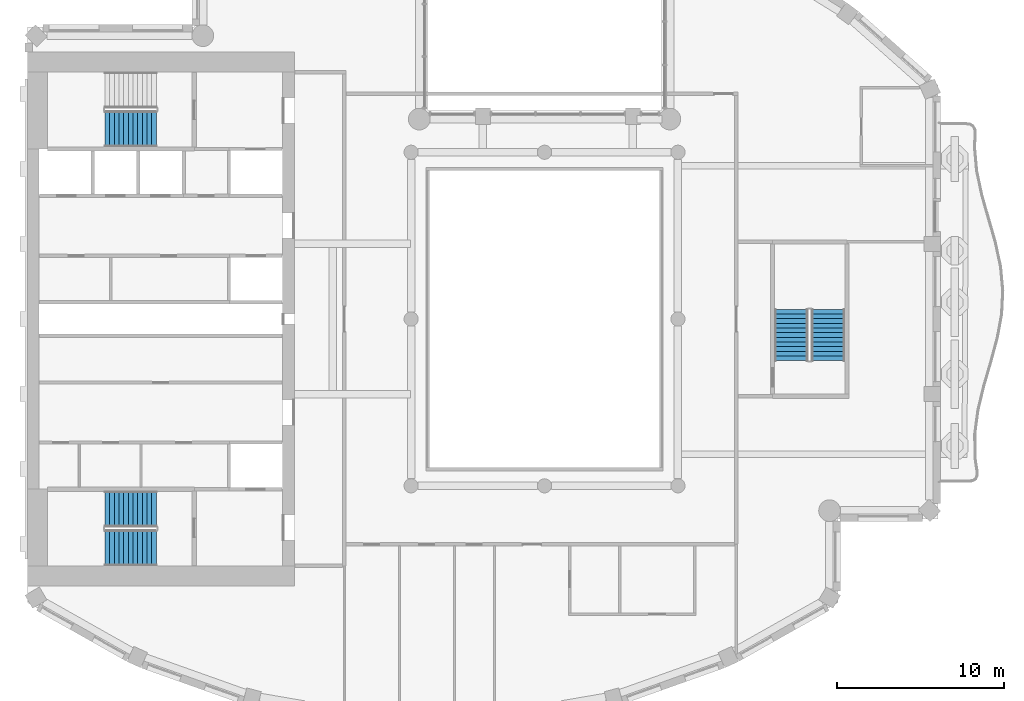
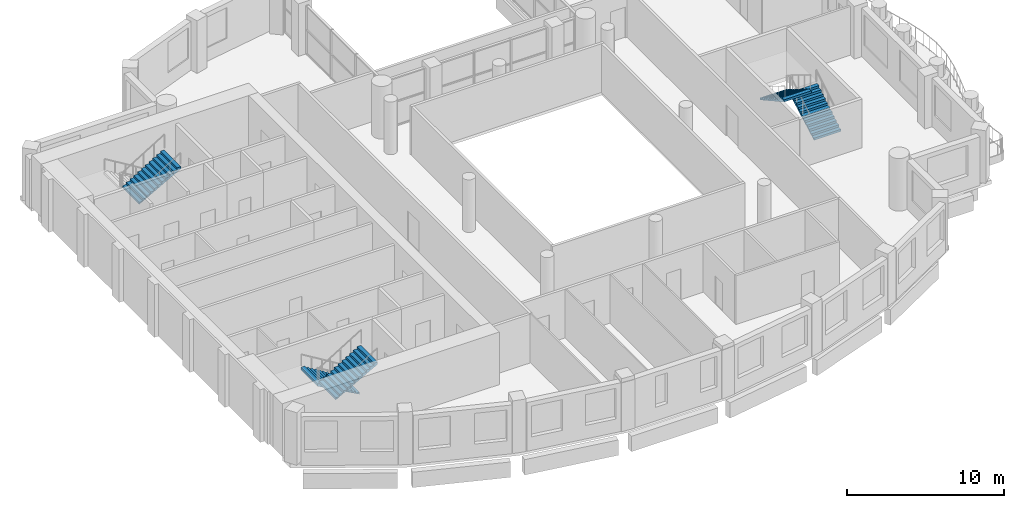
# One storey, part 8 of 14: 5 stair flights, 3 elements without a shape of their own.
"""IFC4 building model written with IfcOpenShell, lengths in metres."""

from ifc_helpers import new_model, si_unit, direction, frame, origin, place, context, subcontext, project, spatial, triangles, material, type_object, element, aggregate, save


model = new_model("IFC4")

# Units and contexts
model_context = context("Model", 3, precision=1e-05, world=origin(), true_north=direction((0.0, 1.0)))
body_context = subcontext(model_context, "Body", "Model", "MODEL_VIEW")
ifc_project = project(units=[si_unit("LENGTHUNIT", "METRE"), si_unit("AREAUNIT", "SQUARE_METRE"), si_unit("VOLUMEUNIT", "CUBIC_METRE"), si_unit("PLANEANGLEUNIT", "RADIAN"), si_unit("MASSUNIT", "GRAM", prefix="KILO")], contexts=[model_context])

# Site, building, storey
site_placement = place(None, origin())
site = spatial("IfcSite", under=ifc_project, at=site_placement, CompositionType="ELEMENT")
building_placement = place(site_placement, origin())
building = spatial("IfcBuilding", under=site, at=building_placement, Name="Cypress Arch Tower", CompositionType="ELEMENT")
storey_placement = place(building_placement, frame((0.0, 0.0, 255.699951171875)))
storey = spatial("IfcBuildingStorey", under=building, at=storey_placement, Name="L57", CompositionType="ELEMENT", Elevation=255.699951171875)

# Stair, stair flights
ifc_material_1 = material(Name="Concrete C40/50", Category="concrete")
stair_type_1 = type_object("IfcStairType", Name="Exit stair ES1708-200", PredefinedType="HALF_TURN_STAIR", material=ifc_material_1)
stair_1_placement = place(storey_placement, origin())
stair_1 = element("IfcStair", 1, at=stair_1_placement, inside=storey, type_object=stair_type_1, Name="L57 Exit stair C", PredefinedType="HALF_TURN_STAIR")
ifc_material_2 = material(Name="Concrete C40/50", Category="concrete")
stair_flight_type_1 = type_object("IfcStairFlightType", Name="Exit stair flight ES1708-200", PredefinedType="STRAIGHT", material=ifc_material_2)
stair_flight_1_placement = place(storey_placement, frame((18.0, -2.5, 0.0), z_axis=(0.0, 0.0, 1.0), x_axis=(0.0, 1.0, 0.0)))
stair_flight_1 = element("IfcStairFlight", 2, at=stair_flight_1_placement, type_object=stair_flight_type_1, Name="C flight 1", NumberOfRisers=12, NumberOfTreads=11, PredefinedType="STRAIGHT", RiserHeight=0.170833333, TreadLength=0.28, context=body_context, shape_type="Tessellation", body=[
    triangles([(0.0, -1.0, 0.0), (0.0, -1.0, 0.1708984375), (0.280029296875, -1.0, 0.1708984375), (0.280029296875, -1.0, 0.341552734375), (0.56005859375, -1.0, 0.341552734375), (0.56005859375, -1.0, 0.512451171875), (0.840087890625, -1.0, 0.512451171875), (0.840087890625, -1.0, 0.683349609375), (1.1201171875, -1.0, 0.683349609375), (1.1201171875, -1.0, 0.854248046875), (1.39990234375, -1.0, 0.854248046875), (1.39990234375, -1.0, 1.02490234375), (1.679931640625, -1.0, 1.02490234375), (1.679931640625, -1.0, 1.19580078125), (1.9599609375, -1.0, 1.19580078125), (1.9599609375, -1.0, 1.36669921875), (2.239990234375, -1.0, 1.36669921875), (2.239990234375, -1.0, 1.53759765625), (2.52001953125, -1.0, 1.53759765625), (2.52001953125, -1.0, 1.708251953125), (2.800048828125, -1.0, 1.708251953125), (2.800048828125, -1.0, 1.879150390625), (3.080078125, -1.0, 1.879150390625), (3.080078125, -1.0, 1.70361328125), (3.080078125, 1.0, 1.70361328125), (3.080078125, 1.0, 1.879150390625), (2.800048828125, 1.0, 1.879150390625), (2.800048828125, 1.0, 1.708251953125), (2.52001953125, 1.0, 1.708251953125), (2.52001953125, 1.0, 1.53759765625), (2.239990234375, 1.0, 1.53759765625), (2.239990234375, 1.0, 1.36669921875), (1.9599609375, 1.0, 1.36669921875), (1.9599609375, 1.0, 1.19580078125), (1.679931640625, 1.0, 1.19580078125), (1.679931640625, 1.0, 1.02490234375), (1.39990234375, 1.0, 1.02490234375), (1.39990234375, 1.0, 0.854248046875), (1.1201171875, 1.0, 0.854248046875), (1.1201171875, 1.0, 0.683349609375), (0.840087890625, 1.0, 0.683349609375), (0.840087890625, 1.0, 0.512451171875), (0.56005859375, 1.0, 0.512451171875), (0.56005859375, 1.0, 0.341552734375), (0.280029296875, 1.0, 0.341552734375), (0.280029296875, 1.0, 0.1708984375), (0.0, 1.0, 0.1708984375), (0.0, 1.0, 0.0), (3.080078125, 0.0, 1.879150390625), (3.080078125, 0.0, 1.70361328125), (2.800048828125, 0.0, 1.879150390625), (2.800048828125, 0.0, 1.708251953125), (2.52001953125, 0.0, 1.708251953125), (2.52001953125, 0.0, 1.53759765625), (2.239990234375, 0.0, 1.53759765625), (2.239990234375, 0.0, 1.36669921875), (1.9599609375, 0.0, 1.36669921875), (1.9599609375, 0.0, 1.19580078125), (1.679931640625, 0.0, 1.19580078125), (1.679931640625, 0.0, 1.02490234375), (1.39990234375, 0.0, 1.02490234375), (1.39990234375, 0.0, 0.854248046875), (1.1201171875, 0.0, 0.854248046875), (1.1201171875, 0.0, 0.683349609375), (0.840087890625, 0.0, 0.683349609375), (0.840087890625, 0.0, 0.512451171875), (0.56005859375, 0.0, 0.512451171875), (0.56005859375, 0.0, 0.341552734375), (0.280029296875, 0.0, 0.341552734375), (0.280029296875, 0.0, 0.1708984375), (0.0, 0.0, 0.1708984375), (0.0, 0.0, 0.0)], [[24, 23, 22], [11, 10, 9], [19, 18, 17], [17, 16, 15], [15, 14, 13], [9, 8, 7], [7, 6, 5], [3, 2, 1], [21, 20, 19], [13, 12, 11], [5, 4, 3], [24, 22, 21], [24, 21, 19], [24, 19, 17], [24, 17, 15], [24, 15, 13], [24, 13, 11], [24, 11, 9], [24, 9, 7], [24, 7, 5], [1, 24, 5], [5, 3, 1], [25, 27, 26], [38, 40, 39], [30, 32, 31], [32, 34, 33], [34, 36, 35], [40, 42, 41], [42, 44, 43], [46, 48, 47], [28, 30, 29], [36, 38, 37], [44, 46, 45], [25, 28, 27], [25, 30, 28], [25, 32, 30], [25, 34, 32], [25, 36, 34], [25, 38, 36], [25, 40, 38], [25, 42, 40], [25, 44, 42], [48, 44, 25], [44, 48, 46], [50, 49, 23], [50, 23, 24], [25, 26, 49], [25, 49, 50], [49, 51, 22], [49, 22, 23], [26, 27, 51], [26, 51, 49], [51, 52, 21], [51, 21, 22], [27, 28, 52], [27, 52, 51], [52, 53, 20], [52, 20, 21], [28, 29, 53], [28, 53, 52], [53, 54, 19], [53, 19, 20], [29, 30, 54], [29, 54, 53], [54, 55, 18], [54, 18, 19], [30, 31, 55], [30, 55, 54], [55, 56, 17], [55, 17, 18], [31, 32, 56], [31, 56, 55], [56, 57, 16], [56, 16, 17], [32, 33, 57], [32, 57, 56], [57, 58, 15], [57, 15, 16], [33, 34, 58], [33, 58, 57], [58, 59, 14], [58, 14, 15], [34, 35, 59], [34, 59, 58], [59, 60, 13], [59, 13, 14], [35, 36, 60], [35, 60, 59], [60, 61, 12], [60, 12, 13], [36, 37, 61], [36, 61, 60], [61, 62, 11], [61, 11, 12], [37, 38, 62], [37, 62, 61], [62, 63, 10], [62, 10, 11], [38, 39, 63], [38, 63, 62], [63, 64, 9], [63, 9, 10], [39, 40, 64], [39, 64, 63], [64, 65, 8], [64, 8, 9], [40, 41, 65], [40, 65, 64], [65, 66, 7], [65, 7, 8], [41, 42, 66], [41, 66, 65], [66, 67, 6], [66, 6, 7], [42, 43, 67], [42, 67, 66], [67, 68, 5], [67, 5, 6], [43, 44, 68], [43, 68, 67], [68, 69, 4], [68, 4, 5], [44, 45, 69], [44, 69, 68], [69, 70, 3], [69, 3, 4], [45, 46, 70], [45, 70, 69], [70, 71, 2], [70, 2, 3], [46, 47, 71], [46, 71, 70], [71, 72, 1], [71, 1, 2], [47, 48, 72], [47, 72, 71], [72, 50, 24], [72, 24, 1], [48, 25, 50], [48, 50, 72]], closed=True),
])
stair_flight_2_placement = place(storey_placement, frame((15.800048828125, 0.580078125, 2.050048828125), z_axis=(0.0, 0.0, 1.0), x_axis=(0.0, -1.0, 0.0)))
stair_flight_2 = element("IfcStairFlight", 3, at=stair_flight_2_placement, type_object=stair_flight_type_1, Name="C flight 2", NumberOfRisers=12, NumberOfTreads=11, PredefinedType="STRAIGHT", RiserHeight=0.170833333, TreadLength=0.28, context=body_context, shape_type="Tessellation", body=[
    triangles([(0.0, -1.0, 0.0), (0.0, -1.0, 0.1708984375), (0.280029296875, -1.0, 0.1708984375), (0.280029296875, -1.0, 0.341552734375), (0.56005859375, -1.0, 0.341552734375), (0.56005859375, -1.0, 0.512451171875), (0.840087890625, -1.0, 0.512451171875), (0.840087890625, -1.0, 0.683349609375), (1.1201171875, -1.0, 0.683349609375), (1.1201171875, -1.0, 0.854248046875), (1.39990234375, -1.0, 0.854248046875), (1.39990234375, -1.0, 1.02490234375), (1.679931640625, -1.0, 1.02490234375), (1.679931640625, -1.0, 1.19580078125), (1.9599609375, -1.0, 1.19580078125), (1.9599609375, -1.0, 1.36669921875), (2.239990234375, -1.0, 1.36669921875), (2.239990234375, -1.0, 1.53759765625), (2.52001953125, -1.0, 1.53759765625), (2.52001953125, -1.0, 1.708251953125), (2.800048828125, -1.0, 1.708251953125), (2.800048828125, -1.0, 1.879150390625), (3.080078125, -1.0, 1.879150390625), (3.080078125, -1.0, 1.70361328125), (3.080078125, 1.0, 1.70361328125), (3.080078125, 1.0, 1.879150390625), (2.800048828125, 1.0, 1.879150390625), (2.800048828125, 1.0, 1.708251953125), (2.52001953125, 1.0, 1.708251953125), (2.52001953125, 1.0, 1.53759765625), (2.239990234375, 1.0, 1.53759765625), (2.239990234375, 1.0, 1.36669921875), (1.9599609375, 1.0, 1.36669921875), (1.9599609375, 1.0, 1.19580078125), (1.679931640625, 1.0, 1.19580078125), (1.679931640625, 1.0, 1.02490234375), (1.39990234375, 1.0, 1.02490234375), (1.39990234375, 1.0, 0.854248046875), (1.1201171875, 1.0, 0.854248046875), (1.1201171875, 1.0, 0.683349609375), (0.840087890625, 1.0, 0.683349609375), (0.840087890625, 1.0, 0.512451171875), (0.56005859375, 1.0, 0.512451171875), (0.56005859375, 1.0, 0.341552734375), (0.280029296875, 1.0, 0.341552734375), (0.280029296875, 1.0, 0.1708984375), (0.0, 1.0, 0.1708984375), (0.0, 1.0, 0.0), (3.080078125, 0.0, 1.879150390625), (3.080078125, 0.0, 1.70361328125), (2.800048828125, 0.0, 1.879150390625), (2.800048828125, 0.0, 1.708251953125), (2.52001953125, 0.0, 1.708251953125), (2.52001953125, 0.0, 1.53759765625), (2.239990234375, 0.0, 1.53759765625), (2.239990234375, 0.0, 1.36669921875), (1.9599609375, 0.0, 1.36669921875), (1.9599609375, 0.0, 1.19580078125), (1.679931640625, 0.0, 1.19580078125), (1.679931640625, 0.0, 1.02490234375), (1.39990234375, 0.0, 1.02490234375), (1.39990234375, 0.0, 0.854248046875), (1.1201171875, 0.0, 0.854248046875), (1.1201171875, 0.0, 0.683349609375), (0.840087890625, 0.0, 0.683349609375), (0.840087890625, 0.0, 0.512451171875), (0.56005859375, 0.0, 0.512451171875), (0.56005859375, 0.0, 0.341552734375), (0.280029296875, 0.0, 0.341552734375), (0.280029296875, 0.0, 0.1708984375), (0.0, 0.0, 0.1708984375), (0.0, 0.0, 0.0)], [[24, 23, 22], [11, 10, 9], [19, 18, 17], [17, 16, 15], [15, 14, 13], [9, 8, 7], [7, 6, 5], [3, 2, 1], [21, 20, 19], [13, 12, 11], [5, 4, 3], [24, 22, 21], [24, 21, 19], [24, 19, 17], [24, 17, 15], [24, 15, 13], [24, 13, 11], [24, 11, 9], [24, 9, 7], [24, 7, 5], [1, 24, 5], [5, 3, 1], [25, 27, 26], [38, 40, 39], [30, 32, 31], [32, 34, 33], [34, 36, 35], [40, 42, 41], [42, 44, 43], [46, 48, 47], [28, 30, 29], [36, 38, 37], [44, 46, 45], [25, 28, 27], [25, 30, 28], [25, 32, 30], [25, 34, 32], [25, 36, 34], [25, 38, 36], [25, 40, 38], [25, 42, 40], [25, 44, 42], [48, 44, 25], [44, 48, 46], [50, 49, 23], [50, 23, 24], [25, 26, 49], [25, 49, 50], [49, 51, 22], [49, 22, 23], [26, 27, 51], [26, 51, 49], [51, 52, 21], [51, 21, 22], [27, 28, 52], [27, 52, 51], [52, 53, 20], [52, 20, 21], [28, 29, 53], [28, 53, 52], [53, 54, 19], [53, 19, 20], [29, 30, 54], [29, 54, 53], [54, 55, 18], [54, 18, 19], [30, 31, 55], [30, 55, 54], [55, 56, 17], [55, 17, 18], [31, 32, 56], [31, 56, 55], [56, 57, 16], [56, 16, 17], [32, 33, 57], [32, 57, 56], [57, 58, 15], [57, 15, 16], [33, 34, 58], [33, 58, 57], [58, 59, 14], [58, 14, 15], [34, 35, 59], [34, 59, 58], [59, 60, 13], [59, 13, 14], [35, 36, 60], [35, 60, 59], [60, 61, 12], [60, 12, 13], [36, 37, 61], [36, 61, 60], [61, 62, 11], [61, 11, 12], [37, 38, 62], [37, 62, 61], [62, 63, 10], [62, 10, 11], [38, 39, 63], [38, 63, 62], [63, 64, 9], [63, 9, 10], [39, 40, 64], [39, 64, 63], [64, 65, 8], [64, 8, 9], [40, 41, 65], [40, 65, 64], [65, 66, 7], [65, 7, 8], [41, 42, 66], [41, 66, 65], [66, 67, 6], [66, 6, 7], [42, 43, 67], [42, 67, 66], [67, 68, 5], [67, 5, 6], [43, 44, 68], [43, 68, 67], [68, 69, 4], [68, 4, 5], [44, 45, 69], [44, 69, 68], [69, 70, 3], [69, 3, 4], [45, 46, 70], [45, 70, 69], [70, 71, 2], [70, 2, 3], [46, 47, 71], [46, 71, 70], [71, 72, 1], [71, 1, 2], [47, 48, 72], [47, 72, 71], [72, 50, 24], [72, 24, 1], [48, 25, 50], [48, 50, 72]], closed=True),
])
aggregate(stair_1, [stair_flight_1, stair_flight_2])

ifc_material_3 = material(Name="Concrete C40/50", Category="concrete")
stair_type_2 = type_object("IfcStairType", Name="Exit stair ES1708-215", PredefinedType="HALF_TURN_STAIR", material=ifc_material_3)
stair_2_placement = place(storey_placement, origin())
stair_2 = element("IfcStair", 4, at=stair_2_placement, inside=storey, type_object=stair_type_2, Name="L57 Exit stair A", PredefinedType="HALF_TURN_STAIR")
ifc_material_4 = material(Name="Concrete C40/50", Category="concrete")
stair_flight_type_2 = type_object("IfcStairFlightType", Name="Exit stair flight ES1708-215", PredefinedType="STRAIGHT", material=ifc_material_4)
stair_flight_3_placement = place(storey_placement, frame((-22.27490234375, -11.39990234375, 0.0), z_axis=(0.0, 0.0, 1.0), x_axis=(-1.0, 0.0, 0.0)))
stair_flight_3 = element("IfcStairFlight", 5, at=stair_flight_3_placement, type_object=stair_flight_type_2, Name="A flight 1", NumberOfRisers=12, NumberOfTreads=11, PredefinedType="STRAIGHT", RiserHeight=0.170833333, TreadLength=0.28, context=body_context, shape_type="Tessellation", body=[
    triangles([(0.0, -1.074951171875, 0.0), (0.000244140625, -1.074951171875, 0.01904296875), (0.000244140625, -1.074951171875, 0.0380859375), (0.00048828125, -1.074951171875, 0.056884765625), (0.00048828125, -1.074951171875, 0.075927734375), (0.00048828125, -1.074951171875, 0.094970703125), (0.00048828125, -1.074951171875, 0.114013671875), (0.000244140625, -1.074951171875, 0.1328125), (0.000244140625, -1.074951171875, 0.15185546875), (0.0, -1.074951171875, 0.1708984375), (0.280029296875, -1.074951171875, 0.1708984375), (0.280029296875, -1.074951171875, 0.341552734375), (0.56005859375, -1.074951171875, 0.341552734375), (0.56005859375, -1.074951171875, 0.512451171875), (0.840087890625, -1.074951171875, 0.512451171875), (0.840087890625, -1.074951171875, 0.683349609375), (1.1201171875, -1.074951171875, 0.683349609375), (1.1201171875, -1.074951171875, 0.854248046875), (1.39990234375, -1.074951171875, 0.854248046875), (1.39990234375, -1.074951171875, 1.02490234375), (1.679931640625, -1.074951171875, 1.02490234375), (1.679931640625, -1.074951171875, 1.19580078125), (1.9599609375, -1.074951171875, 1.19580078125), (1.9599609375, -1.074951171875, 1.36669921875), (2.239990234375, -1.074951171875, 1.36669921875), (2.239990234375, -1.074951171875, 1.53759765625), (2.52001953125, -1.074951171875, 1.53759765625), (2.52001953125, -1.074951171875, 1.708251953125), (2.800048828125, -1.074951171875, 1.708251953125), (2.800048828125, -1.074951171875, 1.879150390625), (3.080078125, -1.074951171875, 1.879150390625), (3.079833984375, -1.074951171875, 1.859619140625), (3.079833984375, -1.074951171875, 1.840087890625), (3.07958984375, -1.074951171875, 1.820556640625), (3.07958984375, -1.074951171875, 1.801025390625), (3.07958984375, -1.074951171875, 1.78173828125), (3.07958984375, -1.074951171875, 1.76220703125), (3.079833984375, -1.074951171875, 1.74267578125), (3.079833984375, -1.074951171875, 1.72314453125), (3.080078125, -1.074951171875, 1.70361328125), (3.080078125, 1.074951171875, 1.70361328125), (3.079833984375, 1.074951171875, 1.72314453125), (3.079833984375, 1.074951171875, 1.74267578125), (3.07958984375, 1.074951171875, 1.76220703125), (3.07958984375, 1.074951171875, 1.78173828125), (3.07958984375, 1.074951171875, 1.801025390625), (3.07958984375, 1.074951171875, 1.820556640625), (3.079833984375, 1.074951171875, 1.840087890625), (3.079833984375, 1.074951171875, 1.859619140625), (3.080078125, 1.074951171875, 1.879150390625), (2.800048828125, 1.074951171875, 1.879150390625), (2.800048828125, 1.074951171875, 1.708251953125), (2.52001953125, 1.074951171875, 1.708251953125), (2.52001953125, 1.074951171875, 1.53759765625), (2.239990234375, 1.074951171875, 1.53759765625), (2.239990234375, 1.074951171875, 1.36669921875), (1.9599609375, 1.074951171875, 1.36669921875), (1.9599609375, 1.074951171875, 1.19580078125), (1.679931640625, 1.074951171875, 1.19580078125), (1.679931640625, 1.074951171875, 1.02490234375), (1.39990234375, 1.074951171875, 1.02490234375), (1.39990234375, 1.074951171875, 0.854248046875), (1.1201171875, 1.074951171875, 0.854248046875), (1.1201171875, 1.074951171875, 0.683349609375), (0.840087890625, 1.074951171875, 0.683349609375), (0.840087890625, 1.074951171875, 0.512451171875), (0.56005859375, 1.074951171875, 0.512451171875), (0.56005859375, 1.074951171875, 0.341552734375), (0.280029296875, 1.074951171875, 0.341552734375), (0.280029296875, 1.074951171875, 0.1708984375), (0.0, 1.074951171875, 0.1708984375), (0.000244140625, 1.074951171875, 0.15185546875), (0.000244140625, 1.074951171875, 0.1328125), (0.00048828125, 1.074951171875, 0.114013671875), (0.00048828125, 1.074951171875, 0.094970703125), (0.00048828125, 1.074951171875, 0.075927734375), (0.00048828125, 1.074951171875, 0.056884765625), (0.000244140625, 1.074951171875, 0.0380859375), (0.000244140625, 1.074951171875, 0.01904296875), (0.0, 1.074951171875, 0.0)], [[40, 39, 30], [39, 38, 30], [38, 37, 30], [37, 36, 30], [36, 35, 30], [35, 34, 30], [34, 33, 30], [33, 32, 30], [32, 31, 30], [19, 18, 17], [27, 26, 25], [25, 24, 23], [23, 22, 21], [17, 16, 15], [15, 14, 13], [10, 9, 11], [9, 8, 11], [8, 7, 11], [7, 6, 11], [6, 5, 11], [5, 4, 11], [4, 3, 11], [3, 2, 11], [2, 1, 11], [29, 28, 27], [21, 20, 19], [13, 12, 11], [40, 30, 29], [40, 29, 27], [40, 27, 25], [40, 25, 23], [40, 23, 21], [40, 21, 19], [40, 19, 17], [40, 17, 15], [40, 15, 13], [1, 40, 13], [13, 11, 1], [41, 51, 42], [42, 51, 43], [43, 51, 44], [44, 51, 45], [45, 51, 46], [46, 51, 47], [47, 51, 48], [48, 51, 49], [49, 51, 50], [62, 64, 63], [54, 56, 55], [56, 58, 57], [58, 60, 59], [64, 66, 65], [66, 68, 67], [71, 70, 72], [72, 70, 73], [73, 70, 74], [74, 70, 75], [75, 70, 76], [76, 70, 77], [77, 70, 78], [78, 70, 79], [79, 70, 80], [52, 54, 53], [60, 62, 61], [68, 70, 69], [41, 52, 51], [41, 54, 52], [41, 56, 54], [41, 58, 56], [41, 60, 58], [41, 62, 60], [41, 64, 62], [41, 66, 64], [41, 68, 66], [80, 68, 41], [68, 80, 70], [41, 42, 39], [41, 39, 40], [42, 43, 38], [42, 38, 39], [43, 44, 37], [43, 37, 38], [44, 45, 36], [44, 36, 37], [45, 46, 35], [45, 35, 36], [46, 47, 34], [46, 34, 35], [47, 48, 33], [47, 33, 34], [48, 49, 32], [48, 32, 33], [49, 50, 31], [49, 31, 32], [50, 51, 30], [50, 30, 31], [51, 52, 29], [51, 29, 30], [52, 53, 28], [52, 28, 29], [53, 54, 27], [53, 27, 28], [54, 55, 26], [54, 26, 27], [55, 56, 25], [55, 25, 26], [56, 57, 24], [56, 24, 25], [57, 58, 23], [57, 23, 24], [58, 59, 22], [58, 22, 23], [59, 60, 21], [59, 21, 22], [60, 61, 20], [60, 20, 21], [61, 62, 19], [61, 19, 20], [62, 63, 18], [62, 18, 19], [63, 64, 17], [63, 17, 18], [64, 65, 16], [64, 16, 17], [65, 66, 15], [65, 15, 16], [66, 67, 14], [66, 14, 15], [67, 68, 13], [67, 13, 14], [68, 69, 12], [68, 12, 13], [69, 70, 11], [69, 11, 12], [70, 71, 10], [70, 10, 11], [71, 72, 9], [71, 9, 10], [72, 73, 8], [72, 8, 9], [73, 74, 7], [73, 7, 8], [74, 75, 6], [74, 6, 7], [75, 76, 5], [75, 5, 6], [76, 77, 4], [76, 4, 5], [77, 78, 3], [77, 3, 4], [78, 79, 2], [78, 2, 3], [79, 80, 1], [79, 1, 2], [80, 41, 40], [80, 40, 1]], closed=True),
])
stair_flight_4_placement = place(storey_placement, frame((-25.35498046875, -13.72509765625, 2.050048828125), z_axis=(0.0, 0.0, 1.0), x_axis=(1.0, 0.0, 0.0)))
stair_flight_4 = element("IfcStairFlight", 6, at=stair_flight_4_placement, type_object=stair_flight_type_2, Name="A flight 2", NumberOfRisers=12, NumberOfTreads=11, PredefinedType="STRAIGHT", RiserHeight=0.170833333, TreadLength=0.28, context=body_context, shape_type="Tessellation", body=[
    triangles([(0.0, -1.074951171875, 0.0), (0.000244140625, -1.074951171875, 0.01904296875), (0.000244140625, -1.074951171875, 0.0380859375), (0.00048828125, -1.074951171875, 0.056884765625), (0.00048828125, -1.074951171875, 0.075927734375), (0.00048828125, -1.074951171875, 0.094970703125), (0.00048828125, -1.074951171875, 0.114013671875), (0.000244140625, -1.074951171875, 0.1328125), (0.000244140625, -1.074951171875, 0.15185546875), (0.0, -1.074951171875, 0.1708984375), (0.280029296875, -1.074951171875, 0.1708984375), (0.280029296875, -1.074951171875, 0.341552734375), (0.56005859375, -1.074951171875, 0.341552734375), (0.56005859375, -1.074951171875, 0.512451171875), (0.840087890625, -1.074951171875, 0.512451171875), (0.840087890625, -1.074951171875, 0.683349609375), (1.1201171875, -1.074951171875, 0.683349609375), (1.1201171875, -1.074951171875, 0.854248046875), (1.39990234375, -1.074951171875, 0.854248046875), (1.39990234375, -1.074951171875, 1.02490234375), (1.679931640625, -1.074951171875, 1.02490234375), (1.679931640625, -1.074951171875, 1.19580078125), (1.9599609375, -1.074951171875, 1.19580078125), (1.9599609375, -1.074951171875, 1.36669921875), (2.239990234375, -1.074951171875, 1.36669921875), (2.239990234375, -1.074951171875, 1.53759765625), (2.52001953125, -1.074951171875, 1.53759765625), (2.52001953125, -1.074951171875, 1.708251953125), (2.800048828125, -1.074951171875, 1.708251953125), (2.800048828125, -1.074951171875, 1.879150390625), (3.080078125, -1.074951171875, 1.879150390625), (3.079833984375, -1.074951171875, 1.859619140625), (3.079833984375, -1.074951171875, 1.840087890625), (3.07958984375, -1.074951171875, 1.820556640625), (3.07958984375, -1.074951171875, 1.801025390625), (3.07958984375, -1.074951171875, 1.78173828125), (3.07958984375, -1.074951171875, 1.76220703125), (3.079833984375, -1.074951171875, 1.74267578125), (3.079833984375, -1.074951171875, 1.72314453125), (3.080078125, -1.074951171875, 1.70361328125), (3.080078125, 1.074951171875, 1.70361328125), (3.079833984375, 1.074951171875, 1.72314453125), (3.079833984375, 1.074951171875, 1.74267578125), (3.07958984375, 1.074951171875, 1.76220703125), (3.07958984375, 1.074951171875, 1.78173828125), (3.07958984375, 1.074951171875, 1.801025390625), (3.07958984375, 1.074951171875, 1.820556640625), (3.079833984375, 1.074951171875, 1.840087890625), (3.079833984375, 1.074951171875, 1.859619140625), (3.080078125, 1.074951171875, 1.879150390625), (2.800048828125, 1.074951171875, 1.879150390625), (2.800048828125, 1.074951171875, 1.708251953125), (2.52001953125, 1.074951171875, 1.708251953125), (2.52001953125, 1.074951171875, 1.53759765625), (2.239990234375, 1.074951171875, 1.53759765625), (2.239990234375, 1.074951171875, 1.36669921875), (1.9599609375, 1.074951171875, 1.36669921875), (1.9599609375, 1.074951171875, 1.19580078125), (1.679931640625, 1.074951171875, 1.19580078125), (1.679931640625, 1.074951171875, 1.02490234375), (1.39990234375, 1.074951171875, 1.02490234375), (1.39990234375, 1.074951171875, 0.854248046875), (1.1201171875, 1.074951171875, 0.854248046875), (1.1201171875, 1.074951171875, 0.683349609375), (0.840087890625, 1.074951171875, 0.683349609375), (0.840087890625, 1.074951171875, 0.512451171875), (0.56005859375, 1.074951171875, 0.512451171875), (0.56005859375, 1.074951171875, 0.341552734375), (0.280029296875, 1.074951171875, 0.341552734375), (0.280029296875, 1.074951171875, 0.1708984375), (0.0, 1.074951171875, 0.1708984375), (0.000244140625, 1.074951171875, 0.15185546875), (0.000244140625, 1.074951171875, 0.1328125), (0.00048828125, 1.074951171875, 0.114013671875), (0.00048828125, 1.074951171875, 0.094970703125), (0.00048828125, 1.074951171875, 0.075927734375), (0.00048828125, 1.074951171875, 0.056884765625), (0.000244140625, 1.074951171875, 0.0380859375), (0.000244140625, 1.074951171875, 0.01904296875), (0.0, 1.074951171875, 0.0)], [[40, 39, 30], [39, 38, 30], [38, 37, 30], [37, 36, 30], [36, 35, 30], [35, 34, 30], [34, 33, 30], [33, 32, 30], [32, 31, 30], [19, 18, 17], [27, 26, 25], [25, 24, 23], [23, 22, 21], [17, 16, 15], [15, 14, 13], [10, 9, 11], [9, 8, 11], [8, 7, 11], [7, 6, 11], [6, 5, 11], [5, 4, 11], [4, 3, 11], [3, 2, 11], [2, 1, 11], [29, 28, 27], [21, 20, 19], [13, 12, 11], [40, 30, 29], [40, 29, 27], [40, 27, 25], [40, 25, 23], [40, 23, 21], [40, 21, 19], [40, 19, 17], [40, 17, 15], [40, 15, 13], [1, 40, 13], [13, 11, 1], [41, 51, 42], [42, 51, 43], [43, 51, 44], [44, 51, 45], [45, 51, 46], [46, 51, 47], [47, 51, 48], [48, 51, 49], [49, 51, 50], [62, 64, 63], [54, 56, 55], [56, 58, 57], [58, 60, 59], [64, 66, 65], [66, 68, 67], [71, 70, 72], [72, 70, 73], [73, 70, 74], [74, 70, 75], [75, 70, 76], [76, 70, 77], [77, 70, 78], [78, 70, 79], [79, 70, 80], [52, 54, 53], [60, 62, 61], [68, 70, 69], [41, 52, 51], [41, 54, 52], [41, 56, 54], [41, 58, 56], [41, 60, 58], [41, 62, 60], [41, 64, 62], [41, 66, 64], [41, 68, 66], [80, 68, 41], [68, 80, 70], [41, 42, 39], [41, 39, 40], [42, 43, 38], [42, 38, 39], [43, 44, 37], [43, 37, 38], [44, 45, 36], [44, 36, 37], [45, 46, 35], [45, 35, 36], [46, 47, 34], [46, 34, 35], [47, 48, 33], [47, 33, 34], [48, 49, 32], [48, 32, 33], [49, 50, 31], [49, 31, 32], [50, 51, 30], [50, 30, 31], [51, 52, 29], [51, 29, 30], [52, 53, 28], [52, 28, 29], [53, 54, 27], [53, 27, 28], [54, 55, 26], [54, 26, 27], [55, 56, 25], [55, 25, 26], [56, 57, 24], [56, 24, 25], [57, 58, 23], [57, 23, 24], [58, 59, 22], [58, 22, 23], [59, 60, 21], [59, 21, 22], [60, 61, 20], [60, 20, 21], [61, 62, 19], [61, 19, 20], [62, 63, 18], [62, 18, 19], [63, 64, 17], [63, 17, 18], [64, 65, 16], [64, 16, 17], [65, 66, 15], [65, 15, 16], [66, 67, 14], [66, 14, 15], [67, 68, 13], [67, 13, 14], [68, 69, 12], [68, 12, 13], [69, 70, 11], [69, 11, 12], [70, 71, 10], [70, 10, 11], [71, 72, 9], [71, 9, 10], [72, 73, 8], [72, 8, 9], [73, 74, 7], [73, 7, 8], [74, 75, 6], [74, 6, 7], [75, 76, 5], [75, 5, 6], [76, 77, 4], [76, 4, 5], [77, 78, 3], [77, 3, 4], [78, 79, 2], [78, 2, 3], [79, 80, 1], [79, 1, 2], [80, 41, 40], [80, 40, 1]], closed=True),
])
aggregate(stair_2, [stair_flight_3, stair_flight_4])

# Stair, stair flight
stair_3_placement = place(storey_placement, origin())
stair_3 = element("IfcStair", 7, at=stair_3_placement, inside=storey, type_object=stair_type_2, Name="L57 Exit stair B", PredefinedType="HALF_TURN_STAIR")
stair_flight_5_placement = place(storey_placement, frame((-25.35498046875, 11.39990234375, 2.050048828125), z_axis=(0.0, 0.0, 1.0), x_axis=(1.0, 0.0, 0.0)))
stair_flight_5 = element("IfcStairFlight", 8, at=stair_flight_5_placement, type_object=stair_flight_type_2, Name="B flight 2", NumberOfRisers=12, NumberOfTreads=11, PredefinedType="STRAIGHT", RiserHeight=0.170833333, TreadLength=0.28, context=body_context, shape_type="Tessellation", body=[
    triangles([(0.0, -1.074951171875, 0.0), (0.000244140625, -1.074951171875, 0.01904296875), (0.000244140625, -1.074951171875, 0.0380859375), (0.00048828125, -1.074951171875, 0.056884765625), (0.00048828125, -1.074951171875, 0.075927734375), (0.00048828125, -1.074951171875, 0.094970703125), (0.00048828125, -1.074951171875, 0.114013671875), (0.000244140625, -1.074951171875, 0.1328125), (0.000244140625, -1.074951171875, 0.15185546875), (0.0, -1.074951171875, 0.1708984375), (0.280029296875, -1.074951171875, 0.1708984375), (0.280029296875, -1.074951171875, 0.341552734375), (0.56005859375, -1.074951171875, 0.341552734375), (0.56005859375, -1.074951171875, 0.512451171875), (0.840087890625, -1.074951171875, 0.512451171875), (0.840087890625, -1.074951171875, 0.683349609375), (1.1201171875, -1.074951171875, 0.683349609375), (1.1201171875, -1.074951171875, 0.854248046875), (1.39990234375, -1.074951171875, 0.854248046875), (1.39990234375, -1.074951171875, 1.02490234375), (1.679931640625, -1.074951171875, 1.02490234375), (1.679931640625, -1.074951171875, 1.19580078125), (1.9599609375, -1.074951171875, 1.19580078125), (1.9599609375, -1.074951171875, 1.36669921875), (2.239990234375, -1.074951171875, 1.36669921875), (2.239990234375, -1.074951171875, 1.53759765625), (2.52001953125, -1.074951171875, 1.53759765625), (2.52001953125, -1.074951171875, 1.708251953125), (2.800048828125, -1.074951171875, 1.708251953125), (2.800048828125, -1.074951171875, 1.879150390625), (3.080078125, -1.074951171875, 1.879150390625), (3.079833984375, -1.074951171875, 1.859619140625), (3.079833984375, -1.074951171875, 1.840087890625), (3.07958984375, -1.074951171875, 1.820556640625), (3.07958984375, -1.074951171875, 1.801025390625), (3.07958984375, -1.074951171875, 1.78173828125), (3.07958984375, -1.074951171875, 1.76220703125), (3.079833984375, -1.074951171875, 1.74267578125), (3.079833984375, -1.074951171875, 1.72314453125), (3.080078125, -1.074951171875, 1.70361328125), (3.080078125, 1.074951171875, 1.70361328125), (3.079833984375, 1.074951171875, 1.72314453125), (3.079833984375, 1.074951171875, 1.74267578125), (3.07958984375, 1.074951171875, 1.76220703125), (3.07958984375, 1.074951171875, 1.78173828125), (3.07958984375, 1.074951171875, 1.801025390625), (3.07958984375, 1.074951171875, 1.820556640625), (3.079833984375, 1.074951171875, 1.840087890625), (3.079833984375, 1.074951171875, 1.859619140625), (3.080078125, 1.074951171875, 1.879150390625), (2.800048828125, 1.074951171875, 1.879150390625), (2.800048828125, 1.074951171875, 1.708251953125), (2.52001953125, 1.074951171875, 1.708251953125), (2.52001953125, 1.074951171875, 1.53759765625), (2.239990234375, 1.074951171875, 1.53759765625), (2.239990234375, 1.074951171875, 1.36669921875), (1.9599609375, 1.074951171875, 1.36669921875), (1.9599609375, 1.074951171875, 1.19580078125), (1.679931640625, 1.074951171875, 1.19580078125), (1.679931640625, 1.074951171875, 1.02490234375), (1.39990234375, 1.074951171875, 1.02490234375), (1.39990234375, 1.074951171875, 0.854248046875), (1.1201171875, 1.074951171875, 0.854248046875), (1.1201171875, 1.074951171875, 0.683349609375), (0.840087890625, 1.074951171875, 0.683349609375), (0.840087890625, 1.074951171875, 0.512451171875), (0.56005859375, 1.074951171875, 0.512451171875), (0.56005859375, 1.074951171875, 0.341552734375), (0.280029296875, 1.074951171875, 0.341552734375), (0.280029296875, 1.074951171875, 0.1708984375), (0.0, 1.074951171875, 0.1708984375), (0.000244140625, 1.074951171875, 0.15185546875), (0.000244140625, 1.074951171875, 0.1328125), (0.00048828125, 1.074951171875, 0.114013671875), (0.00048828125, 1.074951171875, 0.094970703125), (0.00048828125, 1.074951171875, 0.075927734375), (0.00048828125, 1.074951171875, 0.056884765625), (0.000244140625, 1.074951171875, 0.0380859375), (0.000244140625, 1.074951171875, 0.01904296875), (0.0, 1.074951171875, 0.0)], [[40, 39, 30], [39, 38, 30], [38, 37, 30], [37, 36, 30], [36, 35, 30], [35, 34, 30], [34, 33, 30], [33, 32, 30], [32, 31, 30], [19, 18, 17], [27, 26, 25], [25, 24, 23], [23, 22, 21], [17, 16, 15], [15, 14, 13], [10, 9, 11], [9, 8, 11], [8, 7, 11], [7, 6, 11], [6, 5, 11], [5, 4, 11], [4, 3, 11], [3, 2, 11], [2, 1, 11], [29, 28, 27], [21, 20, 19], [13, 12, 11], [40, 30, 29], [40, 29, 27], [40, 27, 25], [40, 25, 23], [40, 23, 21], [40, 21, 19], [40, 19, 17], [40, 17, 15], [40, 15, 13], [1, 40, 13], [13, 11, 1], [41, 51, 42], [42, 51, 43], [43, 51, 44], [44, 51, 45], [45, 51, 46], [46, 51, 47], [47, 51, 48], [48, 51, 49], [49, 51, 50], [62, 64, 63], [54, 56, 55], [56, 58, 57], [58, 60, 59], [64, 66, 65], [66, 68, 67], [71, 70, 72], [72, 70, 73], [73, 70, 74], [74, 70, 75], [75, 70, 76], [76, 70, 77], [77, 70, 78], [78, 70, 79], [79, 70, 80], [52, 54, 53], [60, 62, 61], [68, 70, 69], [41, 52, 51], [41, 54, 52], [41, 56, 54], [41, 58, 56], [41, 60, 58], [41, 62, 60], [41, 64, 62], [41, 66, 64], [41, 68, 66], [80, 68, 41], [68, 80, 70], [41, 42, 39], [41, 39, 40], [42, 43, 38], [42, 38, 39], [43, 44, 37], [43, 37, 38], [44, 45, 36], [44, 36, 37], [45, 46, 35], [45, 35, 36], [46, 47, 34], [46, 34, 35], [47, 48, 33], [47, 33, 34], [48, 49, 32], [48, 32, 33], [49, 50, 31], [49, 31, 32], [50, 51, 30], [50, 30, 31], [51, 52, 29], [51, 29, 30], [52, 53, 28], [52, 28, 29], [53, 54, 27], [53, 27, 28], [54, 55, 26], [54, 26, 27], [55, 56, 25], [55, 25, 26], [56, 57, 24], [56, 24, 25], [57, 58, 23], [57, 23, 24], [58, 59, 22], [58, 22, 23], [59, 60, 21], [59, 21, 22], [60, 61, 20], [60, 20, 21], [61, 62, 19], [61, 19, 20], [62, 63, 18], [62, 18, 19], [63, 64, 17], [63, 17, 18], [64, 65, 16], [64, 16, 17], [65, 66, 15], [65, 15, 16], [66, 67, 14], [66, 14, 15], [67, 68, 13], [67, 13, 14], [68, 69, 12], [68, 12, 13], [69, 70, 11], [69, 11, 12], [70, 71, 10], [70, 10, 11], [71, 72, 9], [71, 9, 10], [72, 73, 8], [72, 8, 9], [73, 74, 7], [73, 7, 8], [74, 75, 6], [74, 6, 7], [75, 76, 5], [75, 5, 6], [76, 77, 4], [76, 4, 5], [77, 78, 3], [77, 3, 4], [78, 79, 2], [78, 2, 3], [79, 80, 1], [79, 1, 2], [80, 41, 40], [80, 40, 1]], closed=True),
])
aggregate(stair_3, [stair_flight_5])

save(model, "model.ifc")
